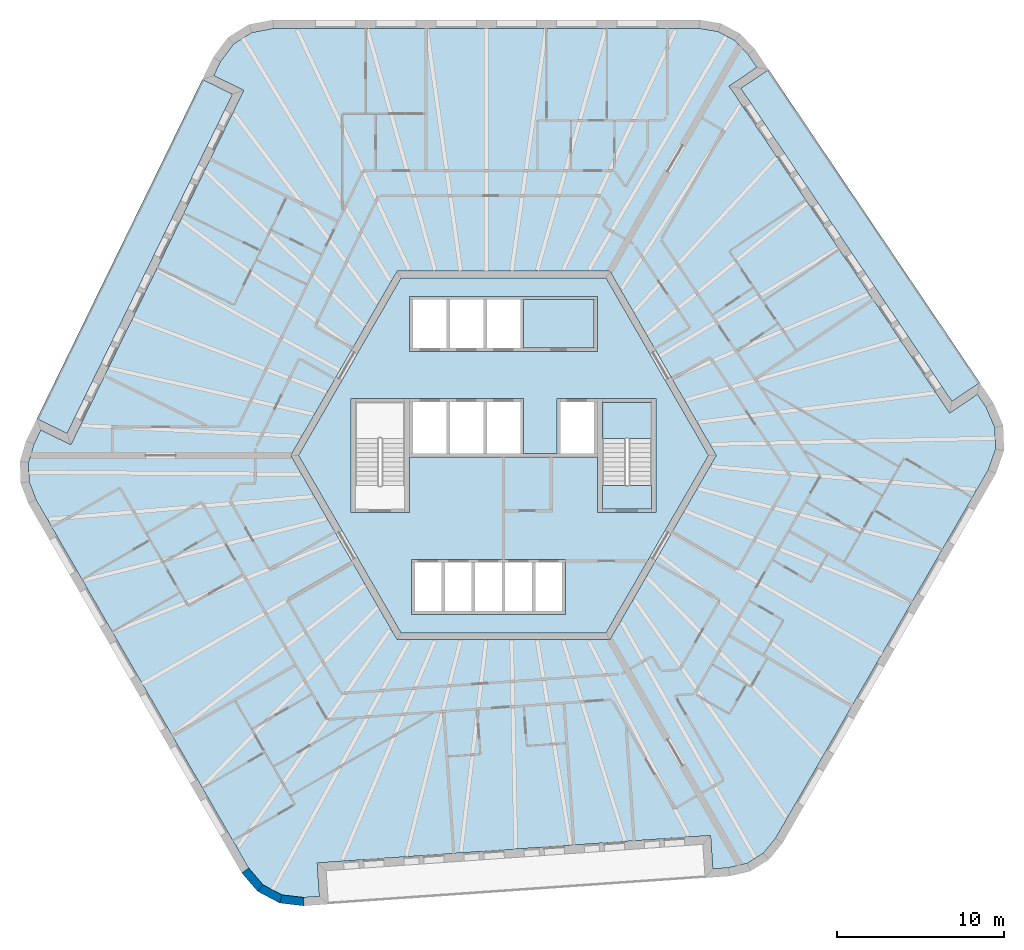
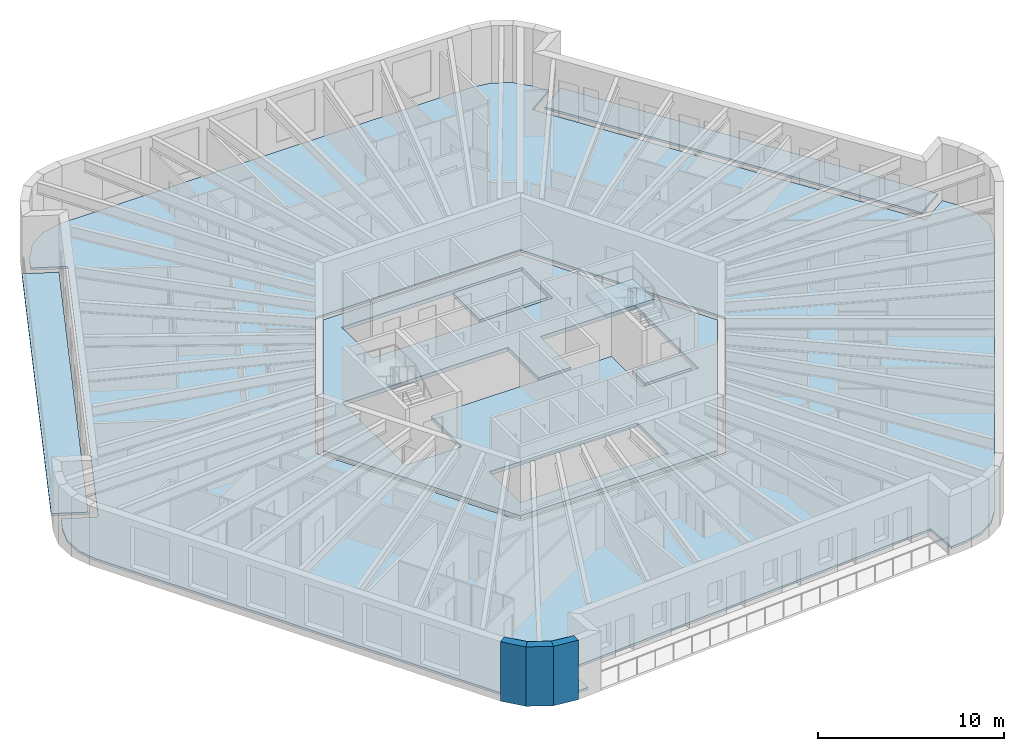
# One storey, part 2 of 12: 7 slabs, 3 walls, 1 element without a shape of its own.
"""IFC4 building model written with IfcOpenShell, lengths in metres."""

import ifcopenshell
import ifcopenshell.guid

model = None  # the IFC model being written
_history = None  # IfcOwnerHistory: only IFC2X3 demands one
_inside = {}  # id of a spatial element -> (the spatial element, [elements in it])
_under = {}  # id of a project, library or spatial element -> (it, [spatial elements below it])
_declared = {}  # id of a project -> (the project, [libraries it declares])
_typed = {}  # id of a type object -> (the type object, [elements of that type])
_made_of = {}  # id of a material, layer set ... -> (it, [elements and type objects made of it])


def new_model(schema):
    """Start an empty IFC model of exactly this schema.

    Asked for "IFC4X3", IfcOpenShell would pick the latest addendum, in which some entities
    have other attributes; the version numbers below select the first issue.
    IFC2X3 requires an IfcOwnerHistory on every rooted entity: one is made here for all.
    """
    global model, _history
    if schema == "IFC4X3":
        model = ifcopenshell.file(schema_version=(4, 3, 0, 0))
    else:
        model = ifcopenshell.file(schema=schema)
    _inside.clear()
    _under.clear()
    _declared.clear()
    _typed.clear()
    _made_of.clear()
    _history = None
    if model.schema == "IFC2X3":
        org = make("IfcOrganization", Name="unknown")
        user = make(
            "IfcPersonAndOrganization",
            ThePerson=make("IfcPerson", FamilyName="unknown"),
            TheOrganization=org,
        )
        app = make(
            "IfcApplication",
            ApplicationDeveloper=org,
            Version="unknown",
            ApplicationFullName="unknown",
            ApplicationIdentifier="unknown",
        )
        _history = make(
            "IfcOwnerHistory",
            OwningUser=user,
            OwningApplication=app,
            ChangeAction="ADDED",
            CreationDate=0,
        )
    return model


def make(cls, **values):
    """One entity of the class cls with the attributes given. An attribute that is None is left unset."""
    return model.create_entity(
        cls, **{name: value for name, value in values.items() if value is not None}
    )


def rooted(cls, **values):
    """An entity with a GlobalId (a new one), such as an element, a storey or a relation."""
    return make(cls, GlobalId=ifcopenshell.guid.new(), OwnerHistory=_history, **values)


def si_unit(unit_type, name, prefix=None):
    """IfcSIUnit, for example si_unit("LENGTHUNIT", "METRE", prefix="MILLI")."""
    return make("IfcSIUnit", UnitType=unit_type, Prefix=prefix, Name=name)


def assignment(units):
    """IfcUnitAssignment: the units of a project."""
    return None if units is None else make("IfcUnitAssignment", Units=units)


def point(xyz):
    """IfcCartesianPoint."""
    return None if xyz is None else make("IfcCartesianPoint", Coordinates=xyz)


def direction(xyz):
    """IfcDirection."""
    return None if xyz is None else make("IfcDirection", DirectionRatios=xyz)


def frame(location, z_axis=None, x_axis=None):
    """IfcAxis2Placement3D, a coordinate frame: its origin and axes. An axis left out is left unset."""
    return make(
        "IfcAxis2Placement3D",
        Location=point(location),
        Axis=direction(z_axis),
        RefDirection=direction(x_axis),
    )


def origin():
    """The frame at (0, 0, 0) with its axes left unset."""
    return frame((0.0, 0.0, 0.0))


def place(relative_to, where):
    """IfcLocalPlacement: puts the frame where relative to a parent placement (None: the world)."""
    return make(
        "IfcLocalPlacement", PlacementRelTo=relative_to, RelativePlacement=where
    )


def context(
    kind, dimensions, precision=None, world=None, true_north=None, identifier=None
):
    """IfcGeometricRepresentationContext, for example the 3D "Model" context."""
    return make(
        "IfcGeometricRepresentationContext",
        ContextIdentifier=identifier,
        ContextType=kind,
        CoordinateSpaceDimension=dimensions,
        Precision=precision,
        WorldCoordinateSystem=world,
        TrueNorth=true_north,
    )


def subcontext(parent, identifier, kind, view, scale=None):
    """IfcGeometricRepresentationSubContext, for example "Body" below "Model"."""
    return make(
        "IfcGeometricRepresentationSubContext",
        ContextIdentifier=identifier,
        ContextType=kind,
        ParentContext=parent,
        TargetScale=scale,
        TargetView=view,
    )


def project(units=None, contexts=None):
    """IfcProject with its units and contexts."""
    return rooted(
        "IfcProject",
        Name="project",
        RepresentationContexts=contexts,
        UnitsInContext=assignment(units),
    )


def spatial(cls, under=None, at=None, **own):
    """A site, building, storey or space (cls), placed at a placement, below another one or the project."""
    s = rooted(cls, ObjectPlacement=at, **own)
    if under is not None:
        _under.setdefault(under.id(), (under, []))[1].append(s)
    return s


def polyline(points):
    """IfcPolyline through the points."""
    return make("IfcPolyline", Points=[point(p) for p in points])


def outline(outer, holes=None, kind="AREA"):
    """IfcArbitraryClosedProfileDef: a profile drawn as a closed curve; with holes, ...WithVoids."""
    if holes is None:
        return make("IfcArbitraryClosedProfileDef", ProfileType=kind, OuterCurve=outer)
    return make(
        "IfcArbitraryProfileDefWithVoids",
        ProfileType=kind,
        OuterCurve=outer,
        InnerCurves=holes,
    )


def extrude(swept, where, along, depth):
    """IfcExtrudedAreaSolid: the profile swept, set in the frame where, extruded along a direction by depth."""
    return make(
        "IfcExtrudedAreaSolid",
        SweptArea=swept,
        Position=where,
        ExtrudedDirection=direction(along),
        Depth=depth,
    )


def shape(context_of_items, identifier, shape_type, items):
    """IfcShapeRepresentation: the items that make up one representation, for example the "Body"."""
    return make(
        "IfcShapeRepresentation",
        ContextOfItems=context_of_items,
        RepresentationIdentifier=identifier,
        RepresentationType=shape_type,
        Items=items,
    )


def material(Name=None, Category=None):
    """IfcMaterial."""
    return make("IfcMaterial", Name=Name, Category=Category)


def layer(
    of_material, thickness, ventilated=None, Name=None, Category=None, Priority=None
):
    """IfcMaterialLayer: one layer of a wall or slab, of a material (None: an air gap)."""
    return make(
        "IfcMaterialLayer",
        Material=of_material,
        LayerThickness=thickness,
        IsVentilated=ventilated,
        Name=Name,
        Category=Category,
        Priority=Priority,
    )


def layer_set(layers, Name=None):
    """IfcMaterialLayerSet."""
    return make("IfcMaterialLayerSet", MaterialLayers=layers, LayerSetName=Name)


def made_of(thing, what):
    """Note that an element or type object is made of a material, layer set ...; save() writes the relation."""
    if what is not None:
        _made_of.setdefault(what.id(), (what, []))[1].append(thing)
    return thing


def type_object(cls, material=None, **own):
    """A type object (cls), such as IfcWallType, which elements share."""
    return made_of(rooted(cls, **own), material)


def element(
    cls,
    number,
    at=None,
    inside=None,
    cuts=None,
    type_object=None,
    material=None,
    context=None,
    identifier="Body",
    shape_type=None,
    held_by="IfcProductDefinitionShape",
    body=None,
    shapes=None,
    **own,
):
    """One element of the class cls, such as IfcWall. Its Tag is "e" and its number.

    at: its placement. inside: the storey or other place that contains it. cuts: it is an
    opening in that element (IfcRelVoidsElement). A single representation is given by context,
    identifier, shape_type and body (its items); several are given by shapes. held_by: the class
    of the entity that holds the representations. save() writes the other relations.
    """
    e = rooted(cls, Tag="e%d" % number, ObjectPlacement=at, **own)
    if body is not None:
        shapes = [shape(context, identifier, shape_type, body)]
    if shapes is not None:
        e.Representation = make(held_by, Representations=shapes)
    if inside is not None:
        _inside.setdefault(inside.id(), (inside, []))[1].append(e)
    if cuts is not None:
        rooted(
            "IfcRelVoidsElement", RelatingBuildingElement=cuts, RelatedOpeningElement=e
        )
    if type_object is not None:
        _typed.setdefault(type_object.id(), (type_object, []))[1].append(e)
    return made_of(e, material)


def aggregate(whole, parts):
    """IfcRelAggregates: a whole, such as a stair, and the parts it consists of."""
    return rooted("IfcRelAggregates", RelatingObject=whole, RelatedObjects=parts)


def save(model, path):
    """Write the relations noted so far, then the file.

    IfcRelAggregates (storeys below a building ...), IfcRelContainedInSpatialStructure (elements
    in a storey), IfcRelDefinesByType, IfcRelAssociatesMaterial and IfcRelDeclares: one each for
    every whole, place, type object, material and project.
    """
    for whole, parts in _under.values():
        aggregate(whole, parts)
    for where, things in _inside.values():
        rooted(
            "IfcRelContainedInSpatialStructure",
            RelatedElements=things,
            RelatingStructure=where,
        )
    for kind, things in _typed.values():
        rooted("IfcRelDefinesByType", RelatedObjects=things, RelatingType=kind)
    for what, things in _made_of.values():
        rooted("IfcRelAssociatesMaterial", RelatedObjects=things, RelatingMaterial=what)
    for by, libraries in _declared.values():
        rooted("IfcRelDeclares", RelatingContext=by, RelatedDefinitions=libraries)
    model.write(path)


model = new_model("IFC4")

# Units and contexts
model_context = context("Model", 3, precision=1e-05, world=origin(), true_north=direction((0.0, 1.0)))
body_context = subcontext(model_context, "Body", "Model", "MODEL_VIEW")
ifc_project = project(units=[si_unit("LENGTHUNIT", "METRE"), si_unit("AREAUNIT", "SQUARE_METRE"), si_unit("VOLUMEUNIT", "CUBIC_METRE"), si_unit("PLANEANGLEUNIT", "RADIAN"), si_unit("MASSUNIT", "GRAM", prefix="KILO")], contexts=[model_context])

# Site, building, storey
site_placement = place(None, origin())
site = spatial("IfcSite", under=ifc_project, at=site_placement, CompositionType="ELEMENT")
building_placement = place(site_placement, origin())
building = spatial("IfcBuilding", under=site, at=building_placement, Name="Tarnside Tower", CompositionType="ELEMENT")
storey_placement = place(building_placement, frame((0.0, 0.0, 271.800048828125)))
storey = spatial("IfcBuildingStorey", under=building, at=storey_placement, Name="L65", CompositionType="ELEMENT", Elevation=271.800048828125)

# Slabs
ifc_material_1 = material(Name="Concrete C35/45", Category="concrete")
ifc_layer_1 = layer(ifc_material_1, 0.14990234375)
ifc_layer_set_1 = layer_set([ifc_layer_1], Name="Composite floor slab 150")
slab_type_1 = type_object("IfcSlabType", Name="Composite floor slab 150", PredefinedType="FLOOR", material=ifc_layer_set_1)
slab_1_placement = place(storey_placement, frame((0.0, 0.0, -0.150146484375)))
element("IfcSlab", 1, at=slab_1_placement, inside=storey, type_object=slab_type_1, Name="Floor slab L65", PredefinedType="FLOOR", context=body_context, shape_type="SweptSolid", body=[
    extrude(outline(polyline([(12.81689453125, 25.312744140625), (13.818115234375, 24.7802734375), (14.610595703125, 23.940185546875), (15.130615234375, 23.169677734375), (13.472412109375, 22.05126953125), (26.638427734375, 2.53173828125), (28.29638671875, 3.650146484375), (28.814697265625, 2.8818359375), (29.336669921875, 1.671875), (29.3818359375, 0.378662109375), (28.945556640625, -0.864990234375), (16.2451171875, -22.86279296875), (15.51318359375, -23.756103515625), (14.55126953125, -24.35693359375), (13.427490234375, -24.623291015625), (12.500244140625, -24.688232421875), (12.360595703125, -22.693115234375), (-11.126708984375, -24.33544921875), (-10.9873046875, -26.33056640625), (-11.91162109375, -26.395263671875), (-13.220458984375, -26.2421875), (-14.363037109375, -25.634765625), (-15.2216796875, -24.635009765625), (-27.922119140625, -2.63720703125), (-28.329833984375, -1.556640625), (-28.369384765625, -0.42333984375), (-28.0380859375, 0.68310546875), (-27.630615234375, 1.5185546875), (-25.8330078125, 0.641845703125), (-15.51171875, 21.8037109375), (-17.309326171875, 22.680419921875), (-16.903076171875, 23.51318359375), (-16.1162109375, 24.5703125), (-15.018798828125, 25.256103515625), (-13.723876953125, 25.5), (11.67724609375, 25.5), (12.81689453125, 25.312744140625)]), holes=[polyline([(-12.70166015625, 0.0), (-6.350830078125, -11.0), (6.350830078125, -11.0), (12.70166015625, 0.0), (6.350830078125, 11.0), (-6.350830078125, 11.0), (-12.70166015625, 0.0)])]), origin(), (0.0, 0.0, 1.0), 0.150146484375),
])
ifc_material_2 = material(Name="Concrete C40/50", Category="concrete")
ifc_layer_2 = layer(ifc_material_2, 0.25)
ifc_layer_set_2 = layer_set([ifc_layer_2], Name="Core slab C40/50")
slab_type_2 = type_object("IfcSlabType", Name="Core slab C40/50", PredefinedType="FLOOR", material=ifc_layer_set_2)
slab_2_placement = place(storey_placement, frame((0.0, 0.0, -0.25)))
element("IfcSlab", 2, at=slab_2_placement, inside=storey, type_object=slab_type_2, Name="L65 core floor slab 1", PredefinedType="FLOOR", context=body_context, shape_type="SweptSolid", body=[
    extrude(outline(polyline([(6.119873046875, 10.60009765625), (12.23974609375, 0.0), (6.119873046875, -10.60009765625), (-6.119873046875, -10.60009765625), (-12.23974609375, 0.0), (-6.119873046875, 10.60009765625), (6.119873046875, 10.60009765625)]), holes=[polyline([(-5.5, -9.5), (3.699951171875, -9.5), (3.699951171875, -9.300048828125), (3.699951171875, -6.39990234375), (3.699951171875, -6.199951171875), (-5.5, -6.199951171875), (-5.5, -6.39990234375), (-5.5, -9.300048828125), (-5.5, -9.5)]), polyline([(-5.60009765625, -3.39990234375), (-5.60009765625, -0.10009765625), (5.60009765625, -0.10009765625), (5.60009765625, -3.39990234375), (5.89990234375, -3.39990234375), (8.85009765625, -3.39990234375), (9.10009765625, -3.39990234375), (9.10009765625, 3.39990234375), (8.85009765625, 3.39990234375), (5.89990234375, 3.39990234375), (5.60009765625, 3.39990234375), (3.39990234375, 3.39990234375), (3.199951171875, 3.39990234375), (3.199951171875, 0.10009765625), (1.199951171875, 0.10009765625), (1.199951171875, 3.39990234375), (1.0, 3.39990234375), (-5.60009765625, 3.39990234375), (-5.89990234375, 3.39990234375), (-8.85009765625, 3.39990234375), (-9.10009765625, 3.39990234375), (-9.10009765625, -3.39990234375), (-8.85009765625, -3.39990234375), (-5.89990234375, -3.39990234375), (-5.60009765625, -3.39990234375)]), polyline([(-5.60009765625, 6.199951171875), (5.60009765625, 6.199951171875), (5.60009765625, 6.39990234375), (5.60009765625, 9.300048828125), (5.60009765625, 9.5), (-5.60009765625, 9.5), (-5.60009765625, 9.300048828125), (-5.60009765625, 6.39990234375), (-5.60009765625, 6.199951171875)])]), origin(), (0.0, 0.0, 1.0), 0.25),
])
slab_3_placement = place(storey_placement, frame((0.0, 0.0, -0.25)))
element("IfcSlab", 3, at=slab_3_placement, inside=storey, type_object=slab_type_2, Name="L65 core floor slab 3", PredefinedType="FLOOR", context=body_context, shape_type="SweptSolid", body=[
    extrude(outline(polyline([(5.89990234375, -1.800048828125), (8.85009765625, -1.800048828125), (8.85009765625, -3.199951171875), (5.89990234375, -3.199951171875), (5.89990234375, -1.800048828125)])), origin(), (0.0, 0.0, 1.0), 0.25),
])
slab_4_placement = place(storey_placement, frame((0.0, 0.0, -0.25)))
element("IfcSlab", 4, at=slab_4_placement, inside=storey, type_object=slab_type_2, Name="L65 core floor slab 4", PredefinedType="FLOOR", context=body_context, shape_type="SweptSolid", body=[
    extrude(outline(polyline([(5.39990234375, 6.39990234375), (1.199951171875, 6.39990234375), (1.199951171875, 9.300048828125), (5.39990234375, 9.300048828125), (5.39990234375, 6.39990234375)])), origin(), (0.0, 0.0, 1.0), 0.25),
])
ifc_material_3 = material(Name="Timber decking", Category="wood")
ifc_layer_3 = layer(ifc_material_3, 0.0400390625)
ifc_material_4 = material(Name="Concrete C60/75 precast", Category="concrete")
ifc_layer_4 = layer(ifc_material_4, 0.110107421875)
ifc_layer_set_3 = layer_set([ifc_layer_3, ifc_layer_4], Name="Loggia deck 150")
slab_type_3 = type_object("IfcSlabType", Name="Loggia deck 150", PredefinedType="FLOOR", material=ifc_layer_set_3)
slab_5_placement = place(storey_placement, frame((0.0, 0.0, -0.150146484375)))
element("IfcSlab", 5, at=slab_5_placement, inside=storey, type_object=slab_type_3, Name="Loggia deck L65 F2", PredefinedType="FLOOR", context=body_context, shape_type="SweptSolid", body=[
    extrude(outline(polyline([(-16.180419921875, 21.573486328125), (-26.063232421875, 1.310302734375), (-27.86083984375, 2.187255859375), (-17.97802734375, 22.4501953125), (-16.180419921875, 21.573486328125)])), origin(), (0.0, 0.0, 1.0), 0.150146484375),
])
slab_6_placement = place(storey_placement, frame((0.0, 0.0, -0.150146484375)))
element("IfcSlab", 6, at=slab_6_placement, inside=storey, type_object=slab_type_3, Name="Loggia deck L65 F6", PredefinedType="FLOOR", context=body_context, shape_type="SweptSolid", body=[
    extrude(outline(polyline([(26.7734375, 3.225830078125), (14.16650390625, 21.916259765625), (15.82470703125, 23.03466796875), (28.431396484375, 4.34423828125), (26.7734375, 3.225830078125)])), origin(), (0.0, 0.0, 1.0), 0.150146484375),
])

# Stair, slab
stair_type = type_object("IfcStairType", Name="Exit stair 1400 clear", PredefinedType="HALF_TURN_STAIR", material=ifc_material_2)
stair_placement = place(storey_placement, origin())
stair = element("IfcStair", 7, at=stair_placement, inside=storey, type_object=stair_type, Name="L65 Exit stair 1", PredefinedType="HALF_TURN_STAIR")
ifc_layer_5 = layer(ifc_material_2, 0.199951171875)
ifc_layer_set_4 = layer_set([ifc_layer_5], Name="Stair landing 200 C40/50")
slab_type_4 = type_object("IfcSlabType", Name="Stair landing 200 C40/50", PredefinedType="LANDING", material=ifc_layer_set_4)
slab_7_placement = place(storey_placement, frame((0.0, 0.0, 1.75)))
slab_7 = element("IfcSlab", 8, at=slab_7_placement, type_object=slab_type_4, Name="ST1 landing 1", PredefinedType="LANDING", context=body_context, shape_type="SweptSolid", body=[
    extrude(outline(polyline([(8.85009765625, 1.0), (8.85009765625, 3.199951171875), (5.89990234375, 3.199951171875), (5.89990234375, 1.0), (8.85009765625, 1.0)])), origin(), (0.0, 0.0, 1.0), 0.199951171875),
])
aggregate(stair, [slab_7])

# Walls
ifc_material_5 = material(Name="Facing brick", Category="masonry")
ifc_layer_6 = layer(ifc_material_5, 0.10205078125)
ifc_layer_7 = layer(ifc_material_4, 0.298095703125)
ifc_material_6 = material(Name="Mineral wool insulation")
ifc_layer_8 = layer(ifc_material_6, 0.10009765625)
ifc_layer_set_5 = layer_set([ifc_layer_6, ifc_layer_7, ifc_layer_8], Name="Tube wall 500 brick faced")
wall_type = type_object("IfcWallType", Name="Tube wall 500 brick faced", PredefinedType="SOLIDWALL", material=ifc_layer_set_5)
wall_1_placement = place(storey_placement, frame((-15.426513671875, -24.7802734375, -0.150146484375), z_axis=(0.0, 0.0, 1.0), x_axis=(0.651616566281, -0.758548515619, 0.0)))
element("IfcWall", 9, at=wall_1_placement, inside=storey, type_object=wall_type, Name="Tube wall L65 F3 chord 13", PredefinedType="SOLIDWALL", context=body_context, shape_type="SweptSolid", body=[
    extrude(outline(polyline([(-0.0234375, -0.25), (1.435302734375, -0.25), (1.341064453125, 0.25), (0.0234375, 0.25), (-0.0234375, -0.25)])), origin(), (0.0, 0.0, 1.0), 3.900146484375),
])
wall_2_placement = place(storey_placement, frame((-14.52197265625, -25.833251953125, -0.150146484375), z_axis=(0.0, 0.0, 1.0), x_axis=(0.882926676147, -0.469510899286, 0.0)))
element("IfcWall", 10, at=wall_2_placement, inside=storey, type_object=wall_type, Name="Tube wall L65 F3 chord 14", PredefinedType="SOLIDWALL", context=body_context, shape_type="SweptSolid", body=[
    extrude(outline(polyline([(-0.047119140625, -0.25), (1.435546875, -0.25), (1.34130859375, 0.25), (0.047119140625, 0.25), (-0.047119140625, -0.25)])), origin(), (0.0, 0.0, 1.0), 3.900146484375),
])
wall_3_placement = place(storey_placement, frame((-13.296142578125, -26.485107421875, -0.150146484375), z_axis=(0.0, 0.0, 1.0), x_axis=(0.993239161627, -0.116086036245, 0.0)))
element("IfcWall", 11, at=wall_3_placement, inside=storey, type_object=wall_type, Name="Tube wall L65 F3 chord 15", PredefinedType="SOLIDWALL", context=body_context, shape_type="SweptSolid", body=[
    extrude(outline(polyline([(-0.047119140625, -0.25), (1.411376953125, -0.25), (1.364501953125, 0.25), (0.047119140625, 0.25), (-0.047119140625, -0.25)])), origin(), (0.0, 0.0, 1.0), 3.900146484375),
])

save(model, "model.ifc")
